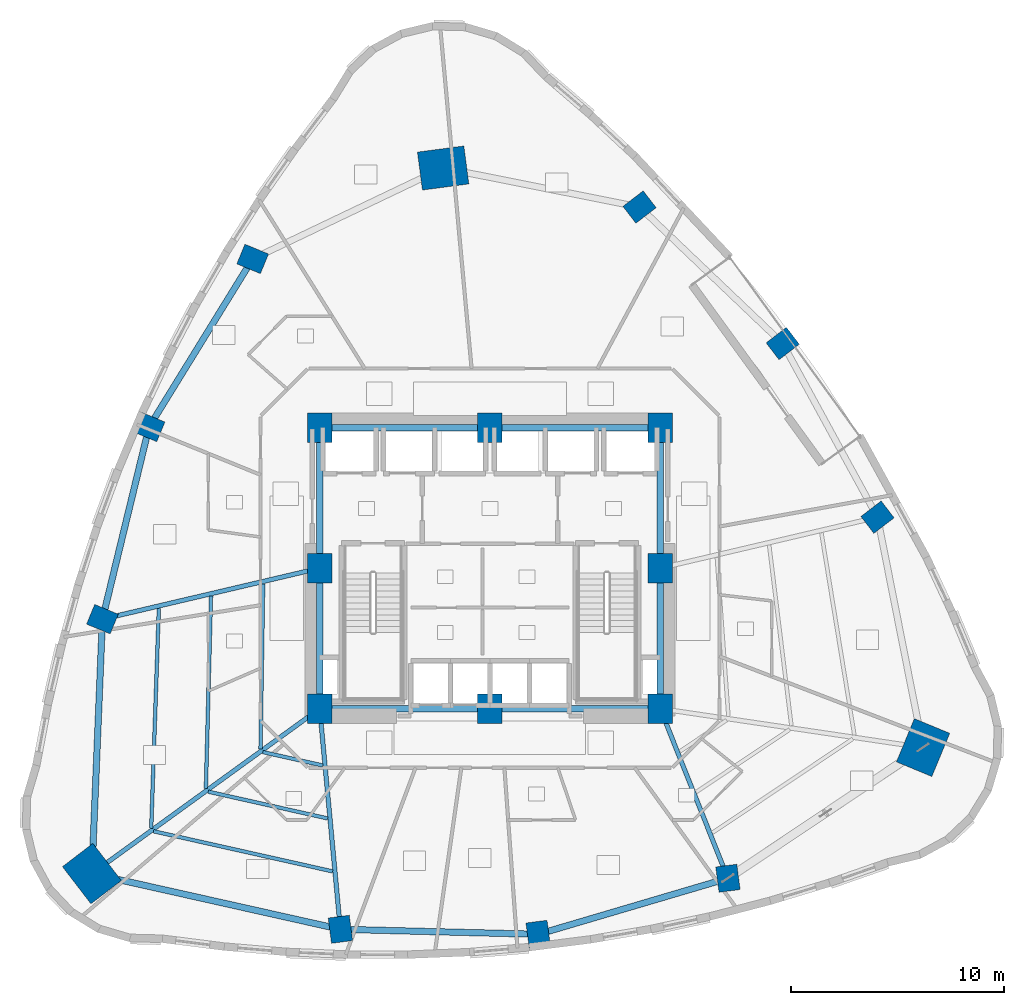
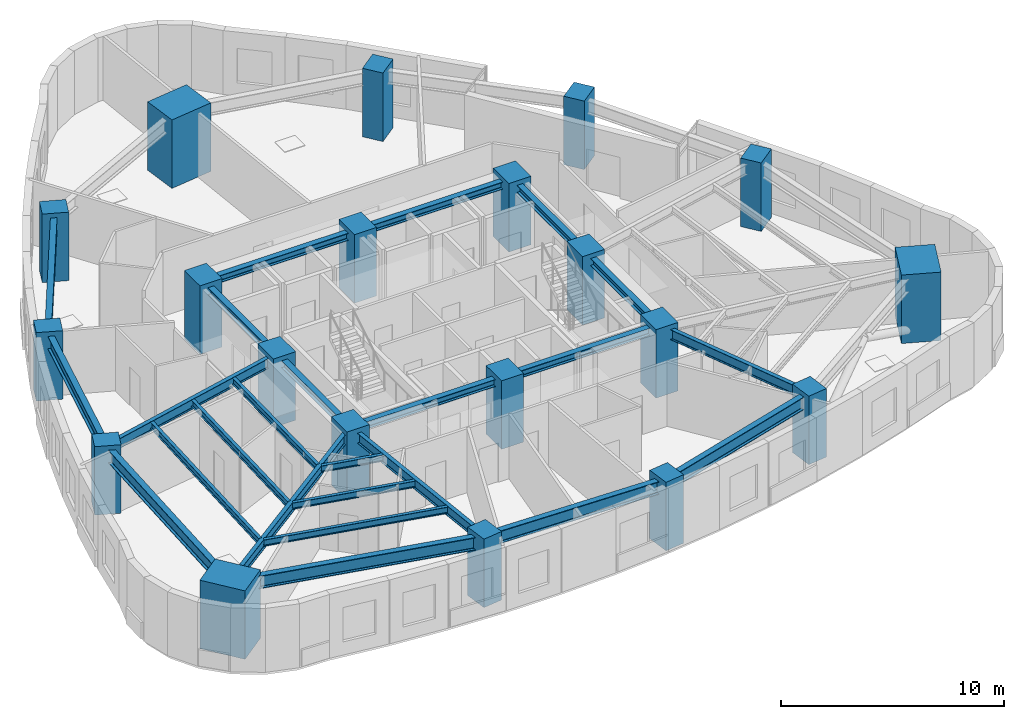
# One storey, part 1 of 15: 24 beams, 20 columns.
"""IFC4 building model written with IfcOpenShell, lengths in metres."""

from ifc_helpers import new_model, si_unit, direction, frame, origin, origin_2d, place, context, subcontext, project, spatial, rectangle, i_section, extrude, material, material_profile, profile_set, type_object, element, save


model = new_model("IFC4")

# Units and contexts
model_context = context("Model", 3, precision=1e-05, world=origin(), true_north=direction((0.0, 1.0)))
body_context = subcontext(model_context, "Body", "Model", "MODEL_VIEW")
ifc_project = project(units=[si_unit("LENGTHUNIT", "METRE"), si_unit("AREAUNIT", "SQUARE_METRE"), si_unit("VOLUMEUNIT", "CUBIC_METRE"), si_unit("PLANEANGLEUNIT", "RADIAN"), si_unit("MASSUNIT", "GRAM", prefix="KILO")], contexts=[model_context])

# Site, building, storey
site_placement = place(None, origin())
site = spatial("IfcSite", under=ifc_project, at=site_placement, CompositionType="ELEMENT")
building_placement = place(site_placement, origin())
building = spatial("IfcBuilding", under=site, at=building_placement, Name="Ndelora Gate Hotel", CompositionType="ELEMENT")
storey_placement = place(building_placement, frame((0.0, 0.0, 56.75)))
storey = spatial("IfcBuildingStorey", under=building, at=storey_placement, Name="L13", CompositionType="ELEMENT", Elevation=56.75)

# Columns
ifc_material_1 = material(Name="Concrete C60/75", Category="concrete")
ifc_material_profile_1 = material_profile(ifc_material_1, rectangle(XDim=1.14990234375, YDim=1.39990234375, at=origin_2d()), Name="RC 1400x1150")
ifc_profile_set_1 = profile_set([ifc_material_profile_1], Name="Concrete C60/75")
column_type_1 = type_object("IfcColumnType", Name="COL-CC-LOW", PredefinedType="COLUMN", material=ifc_profile_set_1)
for number, where, z_axis, x_axis, name in (
    (1, (-8.0, -6.60009765625, 0.0), (0.0, 0.0, 1.0), (1.0, 0.0, 0.0), "L13 Core Column CC1"),
    (2, (0.0, -6.60009765625, 0.0), (0.0, 0.0, 1.0), (1.0, 0.0, 0.0), "L13 Core Column CC2"),
    (3, (8.0, -6.60009765625, 0.0), (0.0, 0.0, 1.0), (1.0, 0.0, 0.0), "L13 Core Column CC3"),
    (4, (8.0, 0.0, 0.0), (0.0, 0.0, 1.0), (1.0, 0.0, 0.0), "L13 Core Column CC4"),
    (5, (8.0, 6.60009765625, 0.0), (0.0, 0.0, 1.0), (1.0, 0.0, 0.0), "L13 Core Column CC5"),
    (6, (0.0, 6.60009765625, 0.0), (0.0, 0.0, 1.0), (1.0, 0.0, 0.0), "L13 Core Column CC6"),
    (7, (-8.0, 6.60009765625, 0.0), (0.0, 0.0, 1.0), (1.0, 0.0, 0.0), "L13 Core Column CC7"),
    (8, (-8.0, 0.0, 0.0), (0.0, 0.0, 1.0), (1.0, 0.0, 0.0), "L13 Core Column CC8"),
):
    element("IfcColumn", number, at=place(storey_placement, frame(where, z_axis=z_axis, x_axis=x_axis)), inside=storey, type_object=column_type_1, Name=name, PredefinedType="COLUMN", context=body_context, shape_type="SweptSolid", body=[
        extrude(rectangle(XDim=1.14990234375, YDim=1.39990234375, at=origin_2d()), origin(), (0.0, 0.0, 1.0), 3.75),
    ])
ifc_material_profile_2 = material_profile(ifc_material_1, rectangle(XDim=1.800048828125, YDim=2.199951171875, at=origin_2d()), Name="RC 2200x1800")
ifc_profile_set_2 = profile_set([ifc_material_profile_2], Name="Concrete C60/75")
column_type_2 = type_object("IfcColumnType", Name="COL-MC-Z1", PredefinedType="COLUMN", material=ifc_profile_set_2)
for number, where, z_axis, x_axis, name in (
    (9, (-2.199951171875, 18.800048828125, 0.0), (0.0, 0.0, 1.0), (-0.13052619222, 0.991444861374, 0.0), "L13 Corner Mega-Column R1"),
    (10, (-18.701904296875, -14.3505859375, 0.0), (0.0, 0.0, 1.0), (0.793353340291, 0.608761429009, 0.0), "L13 Corner Mega-Column R5"),
    (11, (20.35009765625, -8.42919921875, 0.0), (0.0, 0.0, 1.0), (-0.923879532511, 0.382683432365, 0.0), "L13 Corner Mega-Column R9"),
):
    element("IfcColumn", number, at=place(storey_placement, frame(where, z_axis=z_axis, x_axis=x_axis)), inside=storey, type_object=column_type_2, Name=name, PredefinedType="COLUMN", context=body_context, shape_type="SweptSolid", body=[
        extrude(rectangle(XDim=1.800048828125, YDim=2.199951171875, at=origin_2d()), origin(), (0.0, 0.0, 1.0), 3.75),
    ])
ifc_material_profile_3 = material_profile(ifc_material_1, rectangle(XDim=1.0, YDim=1.199951171875, at=origin_2d()), Name="RC 1200x1000")
ifc_profile_set_3 = profile_set([ifc_material_profile_3], Name="Concrete C60/75")
column_type_3 = type_object("IfcColumnType", Name="COL-PT-Z1", PredefinedType="COLUMN", material=ifc_profile_set_3)
for number, where, z_axis, x_axis, name in (
    (12, (-11.1484375, 14.529052734375, 0.0), (0.0, 0.0, 1.0), (0.382683432365, 0.923879532511, 0.0), "L13 Perimeter Tube Column R2"),
    (13, (-16.016845703125, 6.634521484375, 0.0), (0.0, 0.0, 1.0), (0.382683432365, 0.923879532511, 0.0), "L13 Perimeter Tube Column R3"),
    (14, (-18.207275390625, -2.39697265625, 0.0), (0.0, 0.0, 1.0), (0.382683432365, 0.923879532511, 0.0), "L13 Perimeter Tube Column R4"),
    (15, (-7.027587890625, -16.96630859375, 0.0), (0.0, 0.0, 1.0), (0.991444861374, 0.13052619222, 0.0), "L13 Perimeter Tube Column R6"),
    (16, (2.2646484375, -17.20166015625, 0.0), (0.0, 0.0, 1.0), (0.991444861374, 0.13052619222, 0.0), "L13 Perimeter Tube Column R7"),
    (17, (11.179443359375, -14.5693359375, 0.0), (0.0, 0.0, 1.0), (0.991444861374, 0.13052619222, 0.0), "L13 Perimeter Tube Column R8"),
    (18, (18.207275390625, 2.39697265625, 0.0), (0.0, 0.0, 1.0), (-0.608761429009, 0.793353340291, 0.0), "L13 Perimeter Tube Column R10"),
    (19, (13.75390625, 10.5537109375, 0.0), (0.0, 0.0, 1.0), (-0.608761429009, 0.793353340291, 0.0), "L13 Perimeter Tube Column R11"),
    (20, (7.027587890625, 16.96630859375, 0.0), (0.0, 0.0, 1.0), (-0.608761429009, 0.793353340291, 0.0), "L13 Perimeter Tube Column R12"),
):
    element("IfcColumn", number, at=place(storey_placement, frame(where, z_axis=z_axis, x_axis=x_axis)), inside=storey, type_object=column_type_3, Name=name, PredefinedType="COLUMN", context=body_context, shape_type="SweptSolid", body=[
        extrude(rectangle(XDim=1.0, YDim=1.199951171875, at=origin_2d()), origin(), (0.0, 0.0, 1.0), 3.75),
    ])

# Beams
ifc_material_2 = material(Name="Steel S355", Category="steel")
ifc_material_profile_4 = material_profile(ifc_material_2, i_section(OverallWidth=0.300048828125, OverallDepth=0.39990234375, WebThickness=0.013427734375, FlangeThickness=0.02392578125, FilletRadius=0.027099609375, at=origin_2d()), Name="HEB 400")
ifc_profile_set_4 = profile_set([ifc_material_profile_4], Name="Steel S355")
beam_type_1 = type_object("IfcBeamType", Name="BM-CORE-400", PredefinedType="BEAM", material=ifc_profile_set_4)
for number, where, z_axis, x_axis, name in (
    (21, (-8.0, 6.60009765625, 3.300048828125), (1.0, 0.0, 0.0), (0.0, 1.0, 0.0), "L13 Core Tie Girder CC7-CC6"),
    (22, (0.0, 6.60009765625, 3.300048828125), (1.0, 0.0, 0.0), (0.0, 1.0, 0.0), "L13 Core Tie Girder CC6-CC5"),
):
    element("IfcBeam", number, at=place(storey_placement, frame(where, z_axis=z_axis, x_axis=x_axis)), inside=storey, type_object=beam_type_1, Name=name, PredefinedType="BEAM", context=body_context, shape_type="SweptSolid", body=[
        extrude(i_section(OverallWidth=0.300048828125, OverallDepth=0.39990234375, WebThickness=0.013427734375, FlangeThickness=0.02392578125, FilletRadius=0.027099609375, at=origin_2d()), origin(), (0.0, 0.0, 1.0), 8.0),
    ])
for number, where, z_axis, x_axis, name in (
    (23, (-8.0, -6.60009765625, 3.300048828125), (0.0, 1.0, 0.0), (-1.0, 0.0, 0.0), "L13 Core Tie Girder CC1-CC8"),
    (24, (-8.0, 0.0, 3.300048828125), (0.0, 1.0, 0.0), (-1.0, 0.0, 0.0), "L13 Core Tie Girder CC8-CC7"),
    (25, (8.0, -6.60009765625, 3.300048828125), (0.0, 1.0, 0.0), (-1.0, 0.0, 0.0), "L13 Core Tie Girder CC3-CC4"),
    (26, (8.0, 0.0, 3.300048828125), (0.0, 1.0, 0.0), (-1.0, 0.0, 0.0), "L13 Core Tie Girder CC4-CC5"),
):
    element("IfcBeam", number, at=place(storey_placement, frame(where, z_axis=z_axis, x_axis=x_axis)), inside=storey, type_object=beam_type_1, Name=name, PredefinedType="BEAM", context=body_context, shape_type="SweptSolid", body=[
        extrude(i_section(OverallWidth=0.300048828125, OverallDepth=0.39990234375, WebThickness=0.013427734375, FlangeThickness=0.02392578125, FilletRadius=0.027099609375, at=origin_2d()), origin(), (0.0, 0.0, 1.0), 6.60009765625),
    ])
for number, where, z_axis, x_axis, name in (
    (27, (-8.0, -6.60009765625, 3.300048828125), (1.0, 0.0, 0.0), (0.0, 1.0, 0.0), "L13 Core Tie Girder CC1-CC2"),
    (28, (0.0, -6.60009765625, 3.300048828125), (1.0, 0.0, 0.0), (0.0, 1.0, 0.0), "L13 Core Tie Girder CC2-CC3"),
):
    element("IfcBeam", number, at=place(storey_placement, frame(where, z_axis=z_axis, x_axis=x_axis)), inside=storey, type_object=beam_type_1, Name=name, PredefinedType="BEAM", context=body_context, shape_type="SweptSolid", body=[
        extrude(i_section(OverallWidth=0.300048828125, OverallDepth=0.39990234375, WebThickness=0.013427734375, FlangeThickness=0.02392578125, FilletRadius=0.027099609375, at=origin_2d()), origin(), (0.0, 0.0, 1.0), 8.0),
    ])
ifc_material_profile_5 = material_profile(ifc_material_2, i_section(OverallWidth=0.169921875, OverallDepth=0.360107421875, WebThickness=0.008056640625, FlangeThickness=0.0126953125, FilletRadius=0.01806640625, at=origin_2d()), Name="IPE 360")
ifc_profile_set_5 = profile_set([ifc_material_profile_5], Name="Steel S355")
beam_type_2 = type_object("IfcBeamType", Name="BM-JST-360", PredefinedType="JOIST", material=ifc_profile_set_5)
beam_1_placement = place(storey_placement, frame((-10.65576171875, -0.73828125, 3.320068359375), z_axis=(-0.016071150123, -0.999870850727, 0.0), x_axis=(0.999870850727, -0.016071150123, 0.0)))
element("IfcBeam", 29, at=beam_1_placement, inside=storey, type_object=beam_type_2, Name="L13 Secondary Composite Floor Joist IN-4", PredefinedType="JOIST", context=body_context, shape_type="SweptSolid", body=[
    extrude(i_section(OverallWidth=0.169921875, OverallDepth=0.360107421875, WebThickness=0.008056640625, FlangeThickness=0.0126953125, FilletRadius=0.01806640625, at=origin_2d()), origin(), (0.0, 0.0, 1.0), 7.7626953125),
])
beam_2_placement = place(storey_placement, frame((-13.106689453125, -1.3134765625, 3.320068359375), z_axis=(-0.02665287705, -0.999644748971, 0.0), x_axis=(0.999644748971, -0.02665287705, 0.0)))
element("IfcBeam", 30, at=beam_2_placement, inside=storey, type_object=beam_type_2, Name="L13 Secondary Composite Floor Joist MID-4", PredefinedType="JOIST", context=body_context, shape_type="SweptSolid", body=[
    extrude(i_section(OverallWidth=0.169921875, OverallDepth=0.360107421875, WebThickness=0.008056640625, FlangeThickness=0.0126953125, FilletRadius=0.01806640625, at=origin_2d()), origin(), (0.0, 0.0, 1.0), 9.050048828125),
])
beam_3_placement = place(storey_placement, frame((-15.557373046875, -1.888671875, 3.320068359375), z_axis=(-0.034620883261, -0.999400517532, 0.0), x_axis=(0.999400517532, -0.034620883261, 0.0)))
element("IfcBeam", 31, at=beam_3_placement, inside=storey, type_object=beam_type_2, Name="L13 Secondary Composite Floor Joist OUT-4", PredefinedType="JOIST", context=body_context, shape_type="SweptSolid", body=[
    extrude(i_section(OverallWidth=0.169921875, OverallDepth=0.360107421875, WebThickness=0.008056640625, FlangeThickness=0.0126953125, FilletRadius=0.01806640625, at=origin_2d()), origin(), (0.0, 0.0, 1.0), 10.337890625),
])
beam_4_placement = place(storey_placement, frame((-10.67041015625, -8.640380859375, 3.320068359375), z_axis=(0.975820751938, -0.218572322325, 0.0), x_axis=(0.218572322325, 0.975820751938, 0.0)))
element("IfcBeam", 32, at=beam_4_placement, inside=storey, type_object=beam_type_2, Name="L13 Secondary Composite Floor Joist IN-5", PredefinedType="JOIST", context=body_context, shape_type="SweptSolid", body=[
    extrude(i_section(OverallWidth=0.169921875, OverallDepth=0.360107421875, WebThickness=0.008056640625, FlangeThickness=0.0126953125, FilletRadius=0.01806640625, at=origin_2d()), origin(), (0.0, 0.0, 1.0), 2.880615234375),
])
beam_5_placement = place(storey_placement, frame((-13.23876953125, -10.50048828125, 3.320068359375), z_axis=(0.975805037012, -0.218642470123, 0.0), x_axis=(0.218642470123, 0.975805037012, 0.0)))
element("IfcBeam", 33, at=beam_5_placement, inside=storey, type_object=beam_type_2, Name="L13 Secondary Composite Floor Joist MID-5", PredefinedType="JOIST", context=body_context, shape_type="SweptSolid", body=[
    extrude(i_section(OverallWidth=0.169921875, OverallDepth=0.360107421875, WebThickness=0.008056640625, FlangeThickness=0.0126953125, FilletRadius=0.01806640625, at=origin_2d()), origin(), (0.0, 0.0, 1.0), 5.751708984375),
])
beam_6_placement = place(storey_placement, frame((-15.80712890625, -12.360595703125, 3.320068359375), z_axis=(0.975802493229, -0.218653822759, 0.0), x_axis=(0.218653822759, 0.975802493229, 0.0)))
element("IfcBeam", 34, at=beam_6_placement, inside=storey, type_object=beam_type_2, Name="L13 Secondary Composite Floor Joist OUT-5", PredefinedType="JOIST", context=body_context, shape_type="SweptSolid", body=[
    extrude(i_section(OverallWidth=0.169921875, OverallDepth=0.360107421875, WebThickness=0.008056640625, FlangeThickness=0.0126953125, FilletRadius=0.01806640625, at=origin_2d()), origin(), (0.0, 0.0, 1.0), 8.623291015625),
])
ifc_material_profile_6 = material_profile(ifc_material_2, i_section(OverallWidth=0.2099609375, OverallDepth=0.550048828125, WebThickness=0.010986328125, FlangeThickness=0.01708984375, FilletRadius=0.02392578125, at=origin_2d()), Name="IPE 550")
ifc_profile_set_6 = profile_set([ifc_material_profile_6], Name="Steel S355")
beam_type_3 = type_object("IfcBeamType", Name="BM-RAD-550", PredefinedType="BEAM", material=ifc_profile_set_6)
beam_7_placement = place(storey_placement, frame((-8.0, 0.0, 3.22509765625), z_axis=(-0.973517848051, -0.22861102232, 0.0), x_axis=(0.22861102232, -0.973517848051, 0.0)))
element("IfcBeam", 35, at=beam_7_placement, inside=storey, type_object=beam_type_3, Name="L13 Radial Floor Girder 4", PredefinedType="BEAM", context=body_context, shape_type="SweptSolid", body=[
    extrude(i_section(OverallWidth=0.2099609375, OverallDepth=0.550048828125, WebThickness=0.010986328125, FlangeThickness=0.01708984375, FilletRadius=0.02392578125, at=origin_2d()), origin(), (0.0, 0.0, 1.0), 10.48486328125),
])
beam_8_placement = place(storey_placement, frame((-8.0, -6.60009765625, 3.22509765625), z_axis=(-0.809912157619, -0.586551188679, 0.0), x_axis=(0.586551188679, -0.809912157619, 0.0)))
element("IfcBeam", 36, at=beam_8_placement, inside=storey, type_object=beam_type_3, Name="L13 Radial Floor Girder 5", PredefinedType="BEAM", context=body_context, shape_type="SweptSolid", body=[
    extrude(i_section(OverallWidth=0.2099609375, OverallDepth=0.550048828125, WebThickness=0.010986328125, FlangeThickness=0.01708984375, FilletRadius=0.02392578125, at=origin_2d()), origin(), (0.0, 0.0, 1.0), 13.213623046875),
])
beam_9_placement = place(storey_placement, frame((-8.0, -6.60009765625, 3.22509765625), z_axis=(0.093395913855, -0.995629049031, 0.0), x_axis=(0.995629049031, 0.093395913855, 0.0)))
element("IfcBeam", 37, at=beam_9_placement, inside=storey, type_object=beam_type_3, Name="L13 Radial Floor Girder 6", PredefinedType="BEAM", context=body_context, shape_type="SweptSolid", body=[
    extrude(i_section(OverallWidth=0.2099609375, OverallDepth=0.550048828125, WebThickness=0.010986328125, FlangeThickness=0.01708984375, FilletRadius=0.02392578125, at=origin_2d()), origin(), (0.0, 0.0, 1.0), 10.41162109375),
])
beam_10_placement = place(storey_placement, frame((8.0, -6.60009765625, 3.22509765625), z_axis=(0.37056142644, -0.92880796144, 0.0), x_axis=(0.92880796144, 0.37056142644, 0.0)))
element("IfcBeam", 38, at=beam_10_placement, inside=storey, type_object=beam_type_3, Name="L13 Radial Floor Girder 8", PredefinedType="BEAM", context=body_context, shape_type="SweptSolid", body=[
    extrude(i_section(OverallWidth=0.2099609375, OverallDepth=0.550048828125, WebThickness=0.010986328125, FlangeThickness=0.01708984375, FilletRadius=0.02392578125, at=origin_2d()), origin(), (0.0, 0.0, 1.0), 8.580078125),
])
ifc_material_profile_7 = material_profile(ifc_material_2, i_section(OverallWidth=0.300048828125, OverallDepth=0.699951171875, WebThickness=0.01708984375, FlangeThickness=0.031982421875, FilletRadius=0.027099609375, at=origin_2d()), Name="HEB 700")
ifc_profile_set_7 = profile_set([ifc_material_profile_7], Name="Steel S355")
beam_type_4 = type_object("IfcBeamType", Name="BM-RING-700", PredefinedType="SPANDREL", material=ifc_profile_set_7)
beam_11_placement = place(storey_placement, frame((-11.1484375, 14.529052734375, 3.14990234375), z_axis=(-0.524897602516, -0.851165381623, 0.0), x_axis=(0.851165381623, -0.524897602516, 0.0)))
element("IfcBeam", 39, at=beam_11_placement, inside=storey, type_object=beam_type_4, Name="L13 Perimeter Spandrel Girder 2", PredefinedType="SPANDREL", context=body_context, shape_type="SweptSolid", body=[
    extrude(i_section(OverallWidth=0.300048828125, OverallDepth=0.699951171875, WebThickness=0.01708984375, FlangeThickness=0.031982421875, FilletRadius=0.027099609375, at=origin_2d()), origin(), (0.0, 0.0, 1.0), 9.27490234375),
])
beam_12_placement = place(storey_placement, frame((-16.016845703125, 6.634521484375, 3.14990234375), z_axis=(-0.235699273714, -0.971826040179, 0.0), x_axis=(0.971826040179, -0.235699273714, 0.0)))
element("IfcBeam", 40, at=beam_12_placement, inside=storey, type_object=beam_type_4, Name="L13 Perimeter Spandrel Girder 3", PredefinedType="SPANDREL", context=body_context, shape_type="SweptSolid", body=[
    extrude(i_section(OverallWidth=0.300048828125, OverallDepth=0.699951171875, WebThickness=0.01708984375, FlangeThickness=0.031982421875, FilletRadius=0.027099609375, at=origin_2d()), origin(), (0.0, 0.0, 1.0), 9.293212890625),
])
for number, where, z_axis, x_axis, name in (
    (41, (-18.207275390625, -2.39697265625, 3.14990234375), (-0.041343648978, -0.99914498582, 0.0), (0.99914498582, -0.041343648978, 0.0), "L13 Perimeter Spandrel Girder 4"),
    (42, (-18.701904296875, -14.3505859375, 3.14990234375), (0.97580624377, -0.218637084273, 0.0), (0.218637084273, 0.97580624377, 0.0), "L13 Perimeter Spandrel Girder 5"),
):
    element("IfcBeam", number, at=place(storey_placement, frame(where, z_axis=z_axis, x_axis=x_axis)), inside=storey, type_object=beam_type_4, Name=name, PredefinedType="SPANDREL", context=body_context, shape_type="SweptSolid", body=[
        extrude(i_section(OverallWidth=0.300048828125, OverallDepth=0.699951171875, WebThickness=0.01708984375, FlangeThickness=0.031982421875, FilletRadius=0.027099609375, at=origin_2d()), origin(), (0.0, 0.0, 1.0), 11.9638671875),
    ])
beam_13_placement = place(storey_placement, frame((-7.027587890625, -16.96630859375, 3.14990234375), z_axis=(0.999679406439, -0.025319643409, 0.0), x_axis=(0.025319643409, 0.999679406439, 0.0)))
element("IfcBeam", 43, at=beam_13_placement, inside=storey, type_object=beam_type_4, Name="L13 Perimeter Spandrel Girder 6", PredefinedType="SPANDREL", context=body_context, shape_type="SweptSolid", body=[
    extrude(i_section(OverallWidth=0.300048828125, OverallDepth=0.699951171875, WebThickness=0.01708984375, FlangeThickness=0.031982421875, FilletRadius=0.027099609375, at=origin_2d()), origin(), (0.0, 0.0, 1.0), 9.295166015625),
])
beam_14_placement = place(storey_placement, frame((2.2646484375, -17.20166015625, 3.14990234375), z_axis=(0.959064248316, 0.283188572514, 0.0), x_axis=(-0.283188572514, 0.959064248316, 0.0)))
element("IfcBeam", 44, at=beam_14_placement, inside=storey, type_object=beam_type_4, Name="L13 Perimeter Spandrel Girder 7", PredefinedType="SPANDREL", context=body_context, shape_type="SweptSolid", body=[
    extrude(i_section(OverallWidth=0.300048828125, OverallDepth=0.699951171875, WebThickness=0.01708984375, FlangeThickness=0.031982421875, FilletRadius=0.027099609375, at=origin_2d()), origin(), (0.0, 0.0, 1.0), 9.29541015625),
])

save(model, "model.ifc")
